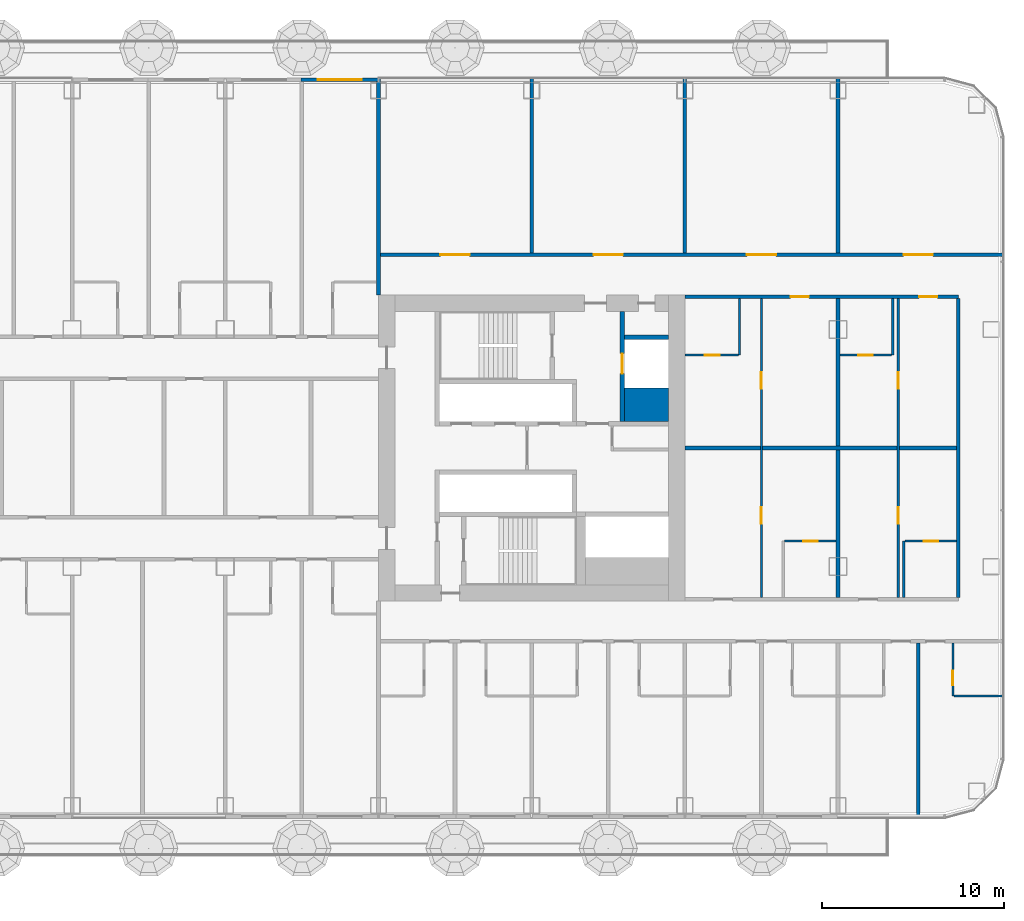
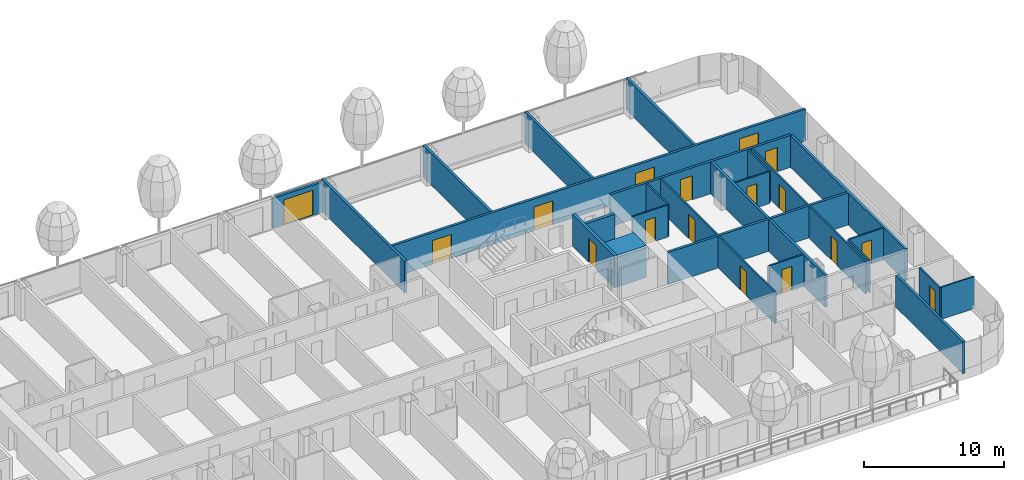
# One storey, part 21 of 37: 25 walls, 17 doors, 17 openings, 1 element without a shape of its own.
"""IFC4 building model written with IfcOpenShell, lengths in metres."""

import ifcopenshell
import ifcopenshell.guid

model = None  # the IFC model being written
_history = None  # IfcOwnerHistory: only IFC2X3 demands one
_inside = {}  # id of a spatial element -> (the spatial element, [elements in it])
_under = {}  # id of a project, library or spatial element -> (it, [spatial elements below it])
_declared = {}  # id of a project -> (the project, [libraries it declares])
_typed = {}  # id of a type object -> (the type object, [elements of that type])
_made_of = {}  # id of a material, layer set ... -> (it, [elements and type objects made of it])


def new_model(schema):
    """Start an empty IFC model of exactly this schema.

    Asked for "IFC4X3", IfcOpenShell would pick the latest addendum, in which some entities
    have other attributes; the version numbers below select the first issue.
    IFC2X3 requires an IfcOwnerHistory on every rooted entity: one is made here for all.
    """
    global model, _history
    if schema == "IFC4X3":
        model = ifcopenshell.file(schema_version=(4, 3, 0, 0))
    else:
        model = ifcopenshell.file(schema=schema)
    _inside.clear()
    _under.clear()
    _declared.clear()
    _typed.clear()
    _made_of.clear()
    _history = None
    if model.schema == "IFC2X3":
        org = make("IfcOrganization", Name="unknown")
        user = make(
            "IfcPersonAndOrganization",
            ThePerson=make("IfcPerson", FamilyName="unknown"),
            TheOrganization=org,
        )
        app = make(
            "IfcApplication",
            ApplicationDeveloper=org,
            Version="unknown",
            ApplicationFullName="unknown",
            ApplicationIdentifier="unknown",
        )
        _history = make(
            "IfcOwnerHistory",
            OwningUser=user,
            OwningApplication=app,
            ChangeAction="ADDED",
            CreationDate=0,
        )
    return model


def make(cls, **values):
    """One entity of the class cls with the attributes given. An attribute that is None is left unset."""
    return model.create_entity(
        cls, **{name: value for name, value in values.items() if value is not None}
    )


def rooted(cls, **values):
    """An entity with a GlobalId (a new one), such as an element, a storey or a relation."""
    return make(cls, GlobalId=ifcopenshell.guid.new(), OwnerHistory=_history, **values)


def si_unit(unit_type, name, prefix=None):
    """IfcSIUnit, for example si_unit("LENGTHUNIT", "METRE", prefix="MILLI")."""
    return make("IfcSIUnit", UnitType=unit_type, Prefix=prefix, Name=name)


def assignment(units):
    """IfcUnitAssignment: the units of a project."""
    return None if units is None else make("IfcUnitAssignment", Units=units)


def point(xyz):
    """IfcCartesianPoint."""
    return None if xyz is None else make("IfcCartesianPoint", Coordinates=xyz)


def direction(xyz):
    """IfcDirection."""
    return None if xyz is None else make("IfcDirection", DirectionRatios=xyz)


def frame(location, z_axis=None, x_axis=None):
    """IfcAxis2Placement3D, a coordinate frame: its origin and axes. An axis left out is left unset."""
    return make(
        "IfcAxis2Placement3D",
        Location=point(location),
        Axis=direction(z_axis),
        RefDirection=direction(x_axis),
    )


def frame_2d(location, x_axis=None):
    """IfcAxis2Placement2D, a coordinate frame in the plane: its origin and x axis."""
    return make(
        "IfcAxis2Placement2D", Location=point(location), RefDirection=direction(x_axis)
    )


def origin():
    """The frame at (0, 0, 0) with its axes left unset."""
    return frame((0.0, 0.0, 0.0))


def place(relative_to, where):
    """IfcLocalPlacement: puts the frame where relative to a parent placement (None: the world)."""
    return make(
        "IfcLocalPlacement", PlacementRelTo=relative_to, RelativePlacement=where
    )


def context(
    kind, dimensions, precision=None, world=None, true_north=None, identifier=None
):
    """IfcGeometricRepresentationContext, for example the 3D "Model" context."""
    return make(
        "IfcGeometricRepresentationContext",
        ContextIdentifier=identifier,
        ContextType=kind,
        CoordinateSpaceDimension=dimensions,
        Precision=precision,
        WorldCoordinateSystem=world,
        TrueNorth=true_north,
    )


def subcontext(parent, identifier, kind, view, scale=None):
    """IfcGeometricRepresentationSubContext, for example "Body" below "Model"."""
    return make(
        "IfcGeometricRepresentationSubContext",
        ContextIdentifier=identifier,
        ContextType=kind,
        ParentContext=parent,
        TargetScale=scale,
        TargetView=view,
    )


def project(units=None, contexts=None):
    """IfcProject with its units and contexts."""
    return rooted(
        "IfcProject",
        Name="project",
        RepresentationContexts=contexts,
        UnitsInContext=assignment(units),
    )


def spatial(cls, under=None, at=None, **own):
    """A site, building, storey or space (cls), placed at a placement, below another one or the project."""
    s = rooted(cls, ObjectPlacement=at, **own)
    if under is not None:
        _under.setdefault(under.id(), (under, []))[1].append(s)
    return s


def profile(cls, at=None, kind="AREA", **sizes):
    """A parametric profile (cls). Its sizes go by their IFC names, for example OverallWidth=200.0."""
    return make(cls, ProfileType=kind, Position=at, **sizes)


def rectangle(**sizes):
    """IfcRectangleProfileDef."""
    return profile("IfcRectangleProfileDef", **sizes)


def extrude(swept, where, along, depth):
    """IfcExtrudedAreaSolid: the profile swept, set in the frame where, extruded along a direction by depth."""
    return make(
        "IfcExtrudedAreaSolid",
        SweptArea=swept,
        Position=where,
        ExtrudedDirection=direction(along),
        Depth=depth,
    )


def shape(context_of_items, identifier, shape_type, items):
    """IfcShapeRepresentation: the items that make up one representation, for example the "Body"."""
    return make(
        "IfcShapeRepresentation",
        ContextOfItems=context_of_items,
        RepresentationIdentifier=identifier,
        RepresentationType=shape_type,
        Items=items,
    )


def material(Name=None, Category=None):
    """IfcMaterial."""
    return make("IfcMaterial", Name=Name, Category=Category)


def layer(
    of_material, thickness, ventilated=None, Name=None, Category=None, Priority=None
):
    """IfcMaterialLayer: one layer of a wall or slab, of a material (None: an air gap)."""
    return make(
        "IfcMaterialLayer",
        Material=of_material,
        LayerThickness=thickness,
        IsVentilated=ventilated,
        Name=Name,
        Category=Category,
        Priority=Priority,
    )


def layer_set(layers, Name=None):
    """IfcMaterialLayerSet."""
    return make("IfcMaterialLayerSet", MaterialLayers=layers, LayerSetName=Name)


def made_of(thing, what):
    """Note that an element or type object is made of a material, layer set ...; save() writes the relation."""
    if what is not None:
        _made_of.setdefault(what.id(), (what, []))[1].append(thing)
    return thing


def type_object(cls, material=None, **own):
    """A type object (cls), such as IfcWallType, which elements share."""
    return made_of(rooted(cls, **own), material)


def element(
    cls,
    number,
    at=None,
    inside=None,
    cuts=None,
    type_object=None,
    material=None,
    context=None,
    identifier="Body",
    shape_type=None,
    held_by="IfcProductDefinitionShape",
    body=None,
    shapes=None,
    **own,
):
    """One element of the class cls, such as IfcWall. Its Tag is "e" and its number.

    at: its placement. inside: the storey or other place that contains it. cuts: it is an
    opening in that element (IfcRelVoidsElement). A single representation is given by context,
    identifier, shape_type and body (its items); several are given by shapes. held_by: the class
    of the entity that holds the representations. save() writes the other relations.
    """
    e = rooted(cls, Tag="e%d" % number, ObjectPlacement=at, **own)
    if body is not None:
        shapes = [shape(context, identifier, shape_type, body)]
    if shapes is not None:
        e.Representation = make(held_by, Representations=shapes)
    if inside is not None:
        _inside.setdefault(inside.id(), (inside, []))[1].append(e)
    if cuts is not None:
        rooted(
            "IfcRelVoidsElement", RelatingBuildingElement=cuts, RelatedOpeningElement=e
        )
    if type_object is not None:
        _typed.setdefault(type_object.id(), (type_object, []))[1].append(e)
    return made_of(e, material)


def fill(opening, filler):
    """IfcRelFillsElement: the door or window that sits in an opening."""
    return rooted(
        "IfcRelFillsElement",
        RelatingOpeningElement=opening,
        RelatedBuildingElement=filler,
    )


def aggregate(whole, parts):
    """IfcRelAggregates: a whole, such as a stair, and the parts it consists of."""
    return rooted("IfcRelAggregates", RelatingObject=whole, RelatedObjects=parts)


def save(model, path):
    """Write the relations noted so far, then the file.

    IfcRelAggregates (storeys below a building ...), IfcRelContainedInSpatialStructure (elements
    in a storey), IfcRelDefinesByType, IfcRelAssociatesMaterial and IfcRelDeclares: one each for
    every whole, place, type object, material and project.
    """
    for whole, parts in _under.values():
        aggregate(whole, parts)
    for where, things in _inside.values():
        rooted(
            "IfcRelContainedInSpatialStructure",
            RelatedElements=things,
            RelatingStructure=where,
        )
    for kind, things in _typed.values():
        rooted("IfcRelDefinesByType", RelatedObjects=things, RelatingType=kind)
    for what, things in _made_of.values():
        rooted("IfcRelAssociatesMaterial", RelatedObjects=things, RelatingMaterial=what)
    for by, libraries in _declared.values():
        rooted("IfcRelDeclares", RelatingContext=by, RelatedDefinitions=libraries)
    model.write(path)


model = new_model("IFC4")

# Units and contexts
model_context = context("Model", 3, precision=1e-05, world=origin(), true_north=direction((0.0, 1.0)))
body_context = subcontext(model_context, "Body", "Model", "MODEL_VIEW")
ifc_project = project(units=[si_unit("LENGTHUNIT", "METRE"), si_unit("AREAUNIT", "SQUARE_METRE"), si_unit("VOLUMEUNIT", "CUBIC_METRE"), si_unit("PLANEANGLEUNIT", "RADIAN"), si_unit("MASSUNIT", "GRAM", prefix="KILO")], contexts=[model_context])

# Site, building, storey
site_placement = place(None, origin())
site = spatial("IfcSite", under=ifc_project, at=site_placement, CompositionType="ELEMENT")
building_placement = place(site_placement, origin())
building = spatial("IfcBuilding", under=site, at=building_placement, Name="Hakoniwa Tower and Hamabe Station Hall", CompositionType="ELEMENT")
storey_placement = place(building_placement, frame((0.0, 0.0, 39.0)))
storey = spatial("IfcBuildingStorey", under=building, at=storey_placement, Name="L10", CompositionType="ELEMENT", Elevation=39.0)

# Wall
ifc_material_1 = material(Name="Gypsum board partition", Category="gypsum")
ifc_layer_1 = layer(ifc_material_1, 0.125)
ifc_layer_set_1 = layer_set([ifc_layer_1], Name="Bathroom Partition 125")
wall_type_1 = type_object("IfcWallType", Name="Bathroom Partition 125", PredefinedType="PARTITIONING", material=ifc_layer_set_1)
wall_1_placement = place(storey_placement, frame((48.362548828125, -13.60009765625, 0.0), z_axis=(0.0, 0.0, 1.0), x_axis=(1.0, 0.0, 0.0)))
element("IfcWall", 1, at=wall_1_placement, inside=storey, type_object=wall_type_1, Name="GW-L10-010", PredefinedType="PARTITIONING", context=body_context, shape_type="SweptSolid", body=[
    extrude(rectangle(XDim=2.737548828125, YDim=0.125, at=frame_2d((1.36865234375, 0.0))), origin(), (0.0, 0.0, 1.0), 2.800048828125),
])

# Wall, opening, door
wall_2_placement = place(storey_placement, frame((39.0625, -5.10009765625, 0.0), z_axis=(0.0, 0.0, 1.0), x_axis=(1.0, 0.0, 0.0)))
wall_2 = element("IfcWall", 2, at=wall_2_placement, inside=storey, type_object=wall_type_1, Name="GW-L10-021", PredefinedType="PARTITIONING", context=body_context, shape_type="SweptSolid", body=[
    extrude(rectangle(XDim=2.83740234375, YDim=0.125, at=frame_2d((1.418701171875, 0.0))), origin(), (0.0, 0.0, 1.0), 2.800048828125),
])
opening_1_placement = place(wall_2_placement, frame((1.03759765625, 0.0, 0.0)))
opening_1 = element("IfcOpeningElement", 3, at=opening_1_placement, cuts=wall_2, Name="Opening GD-G1B1-29", PredefinedType="OPENING", context=body_context, shape_type="SweptSolid", body=[
    extrude(rectangle(XDim=0.800048828125, YDim=2.10009765625, at=frame_2d((0.39990234375, 1.050048828125))), frame((0.0, 0.072509765625, 0.0), z_axis=(0.0, -1.0, 0.0), x_axis=(1.0, 0.0, 0.0)), (0.0, 0.0, 1.0), 0.14501953125),
])
ifc_material_2 = material(Name="Timber door leaf", Category="wood")
door_type_1 = type_object("IfcDoorType", Name="Bathroom Door 800", OperationType="SINGLE_SWING_LEFT", PredefinedType="DOOR", material=ifc_material_2)
door_1_placement = place(opening_1_placement, origin())
door_1 = element("IfcDoor", 4, at=door_1_placement, inside=storey, type_object=door_type_1, Name="Door GD-G1B1-29", OperationType="SINGLE_SWING_RIGHT", OverallHeight=2.10009765625, OverallWidth=0.800048828125, PredefinedType="DOOR", context=body_context, shape_type="SweptSolid", body=[
    extrude(rectangle(XDim=0.800048828125, YDim=2.10009765625, at=frame_2d((0.39990234375, 1.050048828125))), frame((0.0, 0.02490234375, 0.0), z_axis=(0.0, -1.0, 0.0), x_axis=(1.0, 0.0, 0.0)), (0.0, 0.0, 1.0), 0.050048828125),
])
fill(opening_1, door_1)

wall_3_placement = place(storey_placement, frame((45.66259765625, -5.10009765625, 0.0), z_axis=(0.0, 0.0, 1.0), x_axis=(1.0, 0.0, 0.0)))
wall_3 = element("IfcWall", 5, at=wall_3_placement, inside=storey, type_object=wall_type_1, Name="GW-L10-022", PredefinedType="PARTITIONING", context=body_context, shape_type="SweptSolid", body=[
    extrude(rectangle(XDim=2.83740234375, YDim=0.125, at=frame_2d((1.418701171875, 0.0))), origin(), (0.0, 0.0, 1.0), 2.800048828125),
])
opening_2_placement = place(wall_3_placement, frame((1.03759765625, 0.0, 0.0)))
opening_2 = element("IfcOpeningElement", 6, at=opening_2_placement, cuts=wall_3, Name="Opening GD-G1B1-30", PredefinedType="OPENING", context=body_context, shape_type="SweptSolid", body=[
    extrude(rectangle(XDim=0.800048828125, YDim=2.10009765625, at=frame_2d((0.39990234375, 1.050048828125))), frame((0.0, 0.072509765625, 0.0), z_axis=(0.0, -1.0, 0.0), x_axis=(1.0, 0.0, 0.0)), (0.0, 0.0, 1.0), 0.14501953125),
])
door_2_placement = place(opening_2_placement, origin())
door_2 = element("IfcDoor", 7, at=door_2_placement, inside=storey, type_object=door_type_1, Name="Door GD-G1B1-30", OperationType="SINGLE_SWING_RIGHT", OverallHeight=2.10009765625, OverallWidth=0.800048828125, PredefinedType="DOOR", context=body_context, shape_type="SweptSolid", body=[
    extrude(rectangle(XDim=0.800048828125, YDim=2.10009765625, at=frame_2d((0.39990234375, 1.050048828125))), frame((0.0, 0.02490234375, 0.0), z_axis=(0.0, -1.0, 0.0), x_axis=(1.0, 0.0, 0.0)), (0.0, 0.0, 1.0), 0.050048828125),
])
fill(opening_2, door_2)

wall_4_placement = place(storey_placement, frame((33.60009765625, 5.10009765625, 0.0), z_axis=(0.0, 0.0, 1.0), x_axis=(1.0, 0.0, 0.0)))
wall_4 = element("IfcWall", 8, at=wall_4_placement, inside=storey, type_object=wall_type_1, Name="GW-L10-028", PredefinedType="PARTITIONING", context=body_context, shape_type="SweptSolid", body=[
    extrude(rectangle(XDim=2.9375, YDim=0.125, at=frame_2d((1.46875, 0.0))), origin(), (0.0, 0.0, 1.0), 2.800048828125),
])
opening_3_placement = place(wall_4_placement, frame((1.10009765625, 0.0, 0.0)))
opening_3 = element("IfcOpeningElement", 9, at=opening_3_placement, cuts=wall_4, Name="Opening GD-G1B1-41", PredefinedType="OPENING", context=body_context, shape_type="SweptSolid", body=[
    extrude(rectangle(XDim=0.800048828125, YDim=2.10009765625, at=frame_2d((0.39990234375, 1.050048828125))), frame((0.0, 0.072509765625, 0.0), z_axis=(0.0, -1.0, 0.0), x_axis=(1.0, 0.0, 0.0)), (0.0, 0.0, 1.0), 0.14501953125),
])
door_3_placement = place(opening_3_placement, origin())
door_3 = element("IfcDoor", 10, at=door_3_placement, inside=storey, type_object=door_type_1, Name="Door GD-G1B1-41", OperationType="SINGLE_SWING_LEFT", OverallHeight=2.10009765625, OverallWidth=0.800048828125, PredefinedType="DOOR", context=body_context, shape_type="SweptSolid", body=[
    extrude(rectangle(XDim=0.800048828125, YDim=2.10009765625, at=frame_2d((0.39990234375, 1.050048828125))), frame((0.0, 0.02490234375, 0.0), z_axis=(0.0, -1.0, 0.0), x_axis=(1.0, 0.0, 0.0)), (0.0, 0.0, 1.0), 0.050048828125),
])
fill(opening_3, door_3)

wall_5_placement = place(storey_placement, frame((42.10009765625, 5.10009765625, 0.0), z_axis=(0.0, 0.0, 1.0), x_axis=(1.0, 0.0, 0.0)))
wall_5 = element("IfcWall", 11, at=wall_5_placement, inside=storey, type_object=wall_type_1, Name="GW-L10-029", PredefinedType="PARTITIONING", context=body_context, shape_type="SweptSolid", body=[
    extrude(rectangle(XDim=2.83740234375, YDim=0.125, at=frame_2d((1.418701171875, 0.0))), origin(), (0.0, 0.0, 1.0), 2.800048828125),
])
opening_4_placement = place(wall_5_placement, frame((1.0, 0.0, 0.0)))
opening_4 = element("IfcOpeningElement", 12, at=opening_4_placement, cuts=wall_5, Name="Opening GD-G1B1-42", PredefinedType="OPENING", context=body_context, shape_type="SweptSolid", body=[
    extrude(rectangle(XDim=0.800048828125, YDim=2.10009765625, at=frame_2d((0.39990234375, 1.050048828125))), frame((0.0, 0.072509765625, 0.0), z_axis=(0.0, -1.0, 0.0), x_axis=(1.0, 0.0, 0.0)), (0.0, 0.0, 1.0), 0.14501953125),
])
door_4_placement = place(opening_4_placement, origin())
door_4 = element("IfcDoor", 13, at=door_4_placement, inside=storey, type_object=door_type_1, Name="Door GD-G1B1-42", OperationType="SINGLE_SWING_RIGHT", OverallHeight=2.10009765625, OverallWidth=0.800048828125, PredefinedType="DOOR", context=body_context, shape_type="SweptSolid", body=[
    extrude(rectangle(XDim=0.800048828125, YDim=2.10009765625, at=frame_2d((0.39990234375, 1.050048828125))), frame((0.0, 0.02490234375, 0.0), z_axis=(0.0, -1.0, 0.0), x_axis=(1.0, 0.0, 0.0)), (0.0, 0.0, 1.0), 0.050048828125),
])
fill(opening_4, door_4)

# Walls
for number, where, z_axis, x_axis, name in (
    (14, (36.60009765625, 5.10009765625, 0.0), (0.0, 0.0, 1.0), (0.0, 1.0, 0.0), "GW-L10-124"),
    (15, (45.0, 5.10009765625, 0.0), (0.0, 0.0, 1.0), (0.0, 1.0, 0.0), "GW-L10-133"),
    (16, (45.60009765625, -8.199951171875, 0.0), (0.0, 0.0, 1.0), (0.0, 1.0, 0.0), "GW-L10-135"),
):
    element("IfcWall", number, at=place(storey_placement, frame(where, z_axis=z_axis, x_axis=x_axis)), inside=storey, type_object=wall_type_1, Name=name, PredefinedType="PARTITIONING", context=body_context, shape_type="SweptSolid", body=[
        extrude(rectangle(XDim=3.099853515625, YDim=0.125, at=frame_2d((1.5498046875, 0.0))), origin(), (0.0, 0.0, 1.0), 2.800048828125),
    ])

# Wall, opening, door
wall_6_placement = place(storey_placement, frame((48.300048828125, -13.60009765625, 0.0), z_axis=(0.0, 0.0, 1.0), x_axis=(0.0, 1.0, 0.0)))
wall_6 = element("IfcWall", 17, at=wall_6_placement, inside=storey, type_object=wall_type_1, Name="GW-L10-137", PredefinedType="PARTITIONING", context=body_context, shape_type="SweptSolid", body=[
    extrude(rectangle(XDim=2.900146484375, YDim=0.125, at=frame_2d((1.4501953125, 0.0))), origin(), (0.0, 0.0, 1.0), 2.800048828125),
])
opening_5_placement = place(wall_6_placement, frame((0.60009765625, 0.0, 0.0)))
opening_5 = element("IfcOpeningElement", 18, at=opening_5_placement, cuts=wall_6, Name="Opening GD-G1B1-101", PredefinedType="OPENING", context=body_context, shape_type="SweptSolid", body=[
    extrude(rectangle(XDim=0.800048828125, YDim=2.10009765625, at=frame_2d((0.39990234375, 1.050048828125))), frame((0.0, 0.072509765625, 0.0), z_axis=(0.0, -1.0, 0.0), x_axis=(1.0, 0.0, 0.0)), (0.0, 0.0, 1.0), 0.14501953125),
])
door_5_placement = place(opening_5_placement, origin())
door_5 = element("IfcDoor", 19, at=door_5_placement, inside=storey, type_object=door_type_1, Name="Door GD-G1B1-101", OperationType="SINGLE_SWING_LEFT", OverallHeight=2.10009765625, OverallWidth=0.800048828125, PredefinedType="DOOR", context=body_context, shape_type="SweptSolid", body=[
    extrude(rectangle(XDim=0.800048828125, YDim=2.10009765625, at=frame_2d((0.39990234375, 1.050048828125))), frame((0.0, 0.02490234375, 0.0), z_axis=(0.0, -1.0, 0.0), x_axis=(1.0, 0.0, 0.0)), (0.0, 0.0, 1.0), 0.050048828125),
])
fill(opening_5, door_5)

# Wall
ifc_material_3 = material(Name="Concrete C80", Category="concrete")
ifc_layer_2 = layer(ifc_material_3, 1.85009765625)
ifc_layer_set_2 = layer_set([ifc_layer_2], Name="CORE WEB WALL 1850 C80")
wall_type_2 = type_object("IfcWallType", Name="CORE WEB WALL 1850 C80", PredefinedType="SHEAR", material=ifc_layer_set_2)
wall_7_placement = place(storey_placement, frame((30.300048828125, 2.375, 0.0), z_axis=(0.0, 0.0, 1.0), x_axis=(1.0, 0.0, 0.0)))
element("IfcWall", 20, at=wall_7_placement, inside=storey, type_object=wall_type_2, Name="Core wall CA east", PredefinedType="SHEAR", context=body_context, shape_type="SweptSolid", body=[
    extrude(rectangle(XDim=2.39990234375, YDim=1.85009765625, at=frame_2d((1.199951171875, 0.0))), origin(), (0.0, 0.0, 1.0), 2.800048828125),
])

# Wall, opening, door
ifc_material_4 = material(Name="Concrete C80", Category="concrete")
ifc_layer_3 = layer(ifc_material_4, 0.25)
ifc_layer_set_3 = layer_set([ifc_layer_3], Name="CORE WEB WALL 250 C80")
wall_type_3 = type_object("IfcWallType", Name="CORE WEB WALL 250 C80", PredefinedType="SHEAR", material=ifc_layer_set_3)
wall_8_placement = place(storey_placement, frame((30.175048828125, 1.449951171875, 0.0), z_axis=(0.0, 0.0, 1.0), x_axis=(0.0, 1.0, 0.0)))
wall_8 = element("IfcWall", 21, at=wall_8_placement, inside=storey, type_object=wall_type_3, Name="Core wall FFF east", PredefinedType="SHEAR", context=body_context, shape_type="SweptSolid", body=[
    extrude(rectangle(XDim=6.050048828125, YDim=0.25, at=frame_2d((3.02490234375, 0.0))), origin(), (0.0, 0.0, 1.0), 2.800048828125),
])
opening_6_placement = place(wall_8_placement, frame((2.625, 0.0, 0.0)))
opening_6 = element("IfcOpeningElement", 22, at=opening_6_placement, cuts=wall_8, Name="Opening LD-FF2", PredefinedType="OPENING", context=body_context, shape_type="SweptSolid", body=[
    extrude(rectangle(XDim=1.10009765625, YDim=2.10009765625, at=frame_2d((0.550048828125, 1.050048828125))), frame((0.0, 0.135009765625, 0.0), z_axis=(0.0, -1.0, 0.0), x_axis=(1.0, 0.0, 0.0)), (0.0, 0.0, 1.0), 0.27001953125),
])
ifc_material_5 = material(Name="Stainless steel SUS304", Category="steel")
door_type_2 = type_object("IfcDoorType", Name="LIFT LANDING DOOR 1100 FD60", OperationType="DOUBLE_DOOR_SLIDING", PredefinedType="DOOR", material=ifc_material_5)
door_6_placement = place(opening_6_placement, origin())
door_6 = element("IfcDoor", 23, at=door_6_placement, inside=storey, type_object=door_type_2, Name="Lift landing door FF2 L10", OperationType="DOUBLE_DOOR_SLIDING", OverallHeight=2.10009765625, OverallWidth=1.10009765625, PredefinedType="DOOR", context=body_context, shape_type="SweptSolid", body=[
    extrude(rectangle(XDim=1.10009765625, YDim=2.10009765625, at=frame_2d((0.550048828125, 1.050048828125))), frame((0.0, 0.02490234375, 0.0), z_axis=(0.0, -1.0, 0.0), x_axis=(1.0, 0.0, 0.0)), (0.0, 0.0, 1.0), 0.050048828125),
])
fill(opening_6, door_6)

# Wall
wall_9_placement = place(storey_placement, frame((30.300048828125, 6.074951171875, 0.0), z_axis=(0.0, 0.0, 1.0), x_axis=(1.0, 0.0, 0.0)))
element("IfcWall", 24, at=wall_9_placement, inside=storey, type_object=wall_type_3, Name="Core wall C2 east", PredefinedType="SHEAR", context=body_context, shape_type="SweptSolid", body=[
    extrude(rectangle(XDim=2.39990234375, YDim=0.25, at=frame_2d((1.199951171875, 0.0))), origin(), (0.0, 0.0, 1.0), 2.800048828125),
])

# Wall, openings, doors
ifc_material_6 = material(Name="Fire-rated gypsum board partition", Category="gypsum")
ifc_layer_4 = layer(ifc_material_6, 0.199951171875)
ifc_layer_set_4 = layer_set([ifc_layer_4], Name="Corridor Wall 200")
wall_type_4 = type_object("IfcWallType", Name="Corridor Wall 200", PredefinedType="PARTITIONING", material=ifc_layer_set_4)
wall_10_placement = place(storey_placement, frame((33.60009765625, 8.300048828125, 0.0), z_axis=(0.0, 0.0, 1.0), x_axis=(1.0, 0.0, 0.0)))
wall_10 = element("IfcWall", 25, at=wall_10_placement, inside=storey, type_object=wall_type_4, Name="GW-L10-032", PredefinedType="PARTITIONING", context=body_context, shape_type="SweptSolid", body=[
    extrude(rectangle(XDim=15.0, YDim=0.199951171875, at=frame_2d((7.5, 0.0))), origin(), (0.0, 0.0, 1.0), 2.800048828125),
])
opening_7_placement = place(wall_10_placement, frame((5.800048828125, 0.0, 0.0)))
opening_7 = element("IfcOpeningElement", 26, at=opening_7_placement, cuts=wall_10, Name="Opening GD-G1B1-52", PredefinedType="OPENING", context=body_context, shape_type="SweptSolid", body=[
    extrude(rectangle(XDim=1.0, YDim=2.10009765625, at=frame_2d((0.5, 1.050048828125))), frame((0.0, 0.10986328125, 0.0), z_axis=(0.0, -1.0, 0.0), x_axis=(1.0, 0.0, 0.0)), (0.0, 0.0, 1.0), 0.219970703125),
])
opening_8_placement = place(wall_10_placement, frame((12.85009765625, 0.0, 0.0)))
opening_8 = element("IfcOpeningElement", 27, at=opening_8_placement, cuts=wall_10, Name="Opening GD-G1B1-53", PredefinedType="OPENING", context=body_context, shape_type="SweptSolid", body=[
    extrude(rectangle(XDim=1.0, YDim=2.10009765625, at=frame_2d((0.5, 1.050048828125))), frame((0.0, 0.10986328125, 0.0), z_axis=(0.0, -1.0, 0.0), x_axis=(1.0, 0.0, 0.0)), (0.0, 0.0, 1.0), 0.219970703125),
])
ifc_material_7 = material(Name="Timber door leaf", Category="wood")
door_type_3 = type_object("IfcDoorType", Name="Guest Entrance Door 1000", OperationType="SINGLE_SWING_LEFT", PredefinedType="DOOR", material=ifc_material_7)
door_7_placement = place(opening_7_placement, origin())
door_7 = element("IfcDoor", 28, at=door_7_placement, inside=storey, type_object=door_type_3, Name="Door GD-G1B1-52", OperationType="SINGLE_SWING_LEFT", OverallHeight=2.10009765625, OverallWidth=1.0, PredefinedType="DOOR", context=body_context, shape_type="SweptSolid", body=[
    extrude(rectangle(XDim=1.0, YDim=2.10009765625, at=frame_2d((0.5, 1.050048828125))), frame((0.0, 0.02490234375, 0.0), z_axis=(0.0, -1.0, 0.0), x_axis=(1.0, 0.0, 0.0)), (0.0, 0.0, 1.0), 0.050048828125),
])
fill(opening_7, door_7)
door_8_placement = place(opening_8_placement, origin())
door_8 = element("IfcDoor", 29, at=door_8_placement, inside=storey, type_object=door_type_3, Name="Door GD-G1B1-53", OperationType="SINGLE_SWING_RIGHT", OverallHeight=2.10009765625, OverallWidth=1.0, PredefinedType="DOOR", context=body_context, shape_type="SweptSolid", body=[
    extrude(rectangle(XDim=1.0, YDim=2.10009765625, at=frame_2d((0.5, 1.050048828125))), frame((0.0, 0.02490234375, 0.0), z_axis=(0.0, -1.0, 0.0), x_axis=(1.0, 0.0, 0.0)), (0.0, 0.0, 1.0), 0.050048828125),
])
fill(opening_8, door_8)

wall_11_placement = place(storey_placement, frame((16.800048828125, 10.60009765625, 0.0), z_axis=(0.0, 0.0, 1.0), x_axis=(1.0, 0.0, 0.0)))
wall_11 = element("IfcWall", 30, at=wall_11_placement, inside=storey, type_object=wall_type_4, Name="GW-L10-039", PredefinedType="PARTITIONING", context=body_context, shape_type="SweptSolid", body=[
    extrude(rectangle(XDim=34.300048828125, YDim=0.199951171875, at=frame_2d((17.14990234375, 0.0))), origin(), (0.0, 0.0, 1.0), 2.800048828125),
])
opening_9_placement = place(wall_11_placement, frame((3.39990234375, 0.0, 0.0)))
opening_9 = element("IfcOpeningElement", 31, at=opening_9_placement, cuts=wall_11, Name="Opening GD-G1B1-60", PredefinedType="OPENING", context=body_context, shape_type="SweptSolid", body=[
    extrude(rectangle(XDim=1.60009765625, YDim=2.10009765625, at=frame_2d((0.800048828125, 1.050048828125))), frame((0.0, 0.10986328125, 0.0), z_axis=(0.0, -1.0, 0.0), x_axis=(1.0, 0.0, 0.0)), (0.0, 0.0, 1.0), 0.219970703125),
])
opening_10_placement = place(wall_11_placement, frame((11.800048828125, 0.0, 0.0)))
opening_10 = element("IfcOpeningElement", 32, at=opening_10_placement, cuts=wall_11, Name="Opening GD-G1B1-61", PredefinedType="OPENING", context=body_context, shape_type="SweptSolid", body=[
    extrude(rectangle(XDim=1.60009765625, YDim=2.10009765625, at=frame_2d((0.800048828125, 1.050048828125))), frame((0.0, 0.10986328125, 0.0), z_axis=(0.0, -1.0, 0.0), x_axis=(1.0, 0.0, 0.0)), (0.0, 0.0, 1.0), 0.219970703125),
])
opening_11_placement = place(wall_11_placement, frame((20.199951171875, 0.0, 0.0)))
opening_11 = element("IfcOpeningElement", 33, at=opening_11_placement, cuts=wall_11, Name="Opening GD-G1B1-62", PredefinedType="OPENING", context=body_context, shape_type="SweptSolid", body=[
    extrude(rectangle(XDim=1.60009765625, YDim=2.10009765625, at=frame_2d((0.800048828125, 1.050048828125))), frame((0.0, 0.10986328125, 0.0), z_axis=(0.0, -1.0, 0.0), x_axis=(1.0, 0.0, 0.0)), (0.0, 0.0, 1.0), 0.219970703125),
])
opening_12_placement = place(wall_11_placement, frame((28.800048828125, 0.0, 0.0)))
opening_12 = element("IfcOpeningElement", 34, at=opening_12_placement, cuts=wall_11, Name="Opening GD-G1B1-63", PredefinedType="OPENING", context=body_context, shape_type="SweptSolid", body=[
    extrude(rectangle(XDim=1.60009765625, YDim=2.10009765625, at=frame_2d((0.800048828125, 1.050048828125))), frame((0.0, 0.10986328125, 0.0), z_axis=(0.0, -1.0, 0.0), x_axis=(1.0, 0.0, 0.0)), (0.0, 0.0, 1.0), 0.219970703125),
])
ifc_material_8 = material(Name="Timber door leaf", Category="wood")
door_type_4 = type_object("IfcDoorType", Name="Double Door 1600", OperationType="DOUBLE_DOOR_SINGLE_SWING", PredefinedType="DOOR", material=ifc_material_8)
door_9_placement = place(opening_9_placement, origin())
door_9 = element("IfcDoor", 35, at=door_9_placement, inside=storey, type_object=door_type_4, Name="Door GD-G1B1-60", OperationType="DOUBLE_DOOR_SINGLE_SWING", OverallHeight=2.10009765625, OverallWidth=1.60009765625, PredefinedType="DOOR", context=body_context, shape_type="SweptSolid", body=[
    extrude(rectangle(XDim=1.60009765625, YDim=2.10009765625, at=frame_2d((0.800048828125, 1.050048828125))), frame((0.0, 0.02490234375, 0.0), z_axis=(0.0, -1.0, 0.0), x_axis=(1.0, 0.0, 0.0)), (0.0, 0.0, 1.0), 0.050048828125),
])
fill(opening_9, door_9)
door_10_placement = place(opening_10_placement, origin())
door_10 = element("IfcDoor", 36, at=door_10_placement, inside=storey, type_object=door_type_4, Name="Door GD-G1B1-61", OperationType="DOUBLE_DOOR_SINGLE_SWING", OverallHeight=2.10009765625, OverallWidth=1.60009765625, PredefinedType="DOOR", context=body_context, shape_type="SweptSolid", body=[
    extrude(rectangle(XDim=1.60009765625, YDim=2.10009765625, at=frame_2d((0.800048828125, 1.050048828125))), frame((0.0, 0.02490234375, 0.0), z_axis=(0.0, -1.0, 0.0), x_axis=(1.0, 0.0, 0.0)), (0.0, 0.0, 1.0), 0.050048828125),
])
fill(opening_10, door_10)
door_11_placement = place(opening_11_placement, origin())
door_11 = element("IfcDoor", 37, at=door_11_placement, inside=storey, type_object=door_type_4, Name="Door GD-G1B1-62", OperationType="DOUBLE_DOOR_SINGLE_SWING", OverallHeight=2.10009765625, OverallWidth=1.60009765625, PredefinedType="DOOR", context=body_context, shape_type="SweptSolid", body=[
    extrude(rectangle(XDim=1.60009765625, YDim=2.10009765625, at=frame_2d((0.800048828125, 1.050048828125))), frame((0.0, 0.02490234375, 0.0), z_axis=(0.0, -1.0, 0.0), x_axis=(1.0, 0.0, 0.0)), (0.0, 0.0, 1.0), 0.050048828125),
])
fill(opening_11, door_11)
door_12_placement = place(opening_12_placement, origin())
door_12 = element("IfcDoor", 38, at=door_12_placement, inside=storey, type_object=door_type_4, Name="Door GD-G1B1-63", OperationType="DOUBLE_DOOR_SINGLE_SWING", OverallHeight=2.10009765625, OverallWidth=1.60009765625, PredefinedType="DOOR", context=body_context, shape_type="SweptSolid", body=[
    extrude(rectangle(XDim=1.60009765625, YDim=2.10009765625, at=frame_2d((0.800048828125, 1.050048828125))), frame((0.0, 0.02490234375, 0.0), z_axis=(0.0, -1.0, 0.0), x_axis=(1.0, 0.0, 0.0)), (0.0, 0.0, 1.0), 0.050048828125),
])
fill(opening_12, door_12)

# Curtain wall, wall, opening, door
ifc_material_9 = material(Name="Dark low-e laminated glass", Category="glass")
ifc_layer_5 = layer(ifc_material_9, 0.199951171875)
ifc_layer_set_5 = layer_set([ifc_layer_5], Name="CW-1 UNITISED GUEST")
curtain_wall_type = type_object("IfcCurtainWallType", Name="CW-1 UNITISED GUEST", PredefinedType="NOTDEFINED", material=ifc_layer_set_5)
curtain_wall_placement = place(storey_placement, origin())
curtain_wall = element("IfcCurtainWall", 39, at=curtain_wall_placement, inside=storey, type_object=curtain_wall_type, Name="CW-1 curtain wall", PredefinedType="NOTDEFINED")
ifc_material_10 = material(Name="Dark glass-faced aluminium panel", Category="aluminium")
ifc_layer_6 = layer(ifc_material_10, 0.199951171875)
ifc_layer_set_6 = layer_set([ifc_layer_6], Name="DOOR BAY WALL")
wall_type_5 = type_object("IfcWallType", Name="DOOR BAY WALL", PredefinedType="NOTDEFINED", material=ifc_layer_set_6)
wall_12_placement = place(storey_placement, frame((16.780029296875, 20.199951171875, 0.0), z_axis=(0.0, 0.0, 1.0), x_axis=(-1.0, 0.0, 0.0)))
wall_12 = element("IfcWall", 40, at=wall_12_placement, type_object=wall_type_5, Name="Door bay wall", PredefinedType="NOTDEFINED", context=body_context, shape_type="SweptSolid", body=[
    extrude(rectangle(XDim=4.219970703125, YDim=0.199951171875, at=frame_2d((2.10986328125, 0.0))), origin(), (0.0, 0.0, 1.0), 2.64990234375),
])
opening_13_placement = place(wall_12_placement, frame((0.909912109375, 0.0, 0.0)))
opening_13 = element("IfcOpeningElement", 41, at=opening_13_placement, cuts=wall_12, Name="Opening BD-N03-6", PredefinedType="OPENING", context=body_context, shape_type="SweptSolid", body=[
    extrude(rectangle(XDim=2.39990234375, YDim=2.199951171875, at=frame_2d((1.199951171875, 1.10009765625))), frame((0.0, 0.10986328125, 0.0), z_axis=(0.0, -1.0, 0.0), x_axis=(1.0, 0.0, 0.0)), (0.0, 0.0, 1.0), 0.219970703125),
])
ifc_material_11 = material(Name="Dark low-e laminated glass", Category="glass")
door_type_5 = type_object("IfcDoorType", Name="BALCONY SLIDING DOOR 2400X2200", OperationType="SLIDING_TO_LEFT", PredefinedType="DOOR", material=ifc_material_11)
door_13_placement = place(opening_13_placement, frame((2.39990234375, 0.0, 0.0), z_axis=(0.0, 0.0, 1.0), x_axis=(-1.0, 0.0, 0.0)))
door_13 = element("IfcDoor", 42, at=door_13_placement, inside=storey, type_object=door_type_5, Name="Balcony sliding door", OperationType="SLIDING_TO_LEFT", OverallHeight=2.199951171875, OverallWidth=2.39990234375, PredefinedType="DOOR", context=body_context, shape_type="SweptSolid", body=[
    extrude(rectangle(XDim=2.39990234375, YDim=2.199951171875, at=frame_2d((1.199951171875, 1.10009765625))), frame((0.0, 0.02490234375, 0.0), z_axis=(0.0, -1.0, 0.0), x_axis=(1.0, 0.0, 0.0)), (0.0, 0.0, 1.0), 0.050048828125),
])
fill(opening_13, door_13)
aggregate(curtain_wall, [wall_12])

# Walls
ifc_material_12 = material(Name="Fire-rated gypsum board partition", Category="gypsum")
ifc_layer_7 = layer(ifc_material_12, 0.199951171875)
ifc_layer_set_7 = layer_set([ifc_layer_7], Name="Party Wall 200")
wall_type_6 = type_object("IfcWallType", Name="Party Wall 200", PredefinedType="PARTITIONING", material=ifc_layer_set_7)
wall_13_placement = place(storey_placement, frame((33.60009765625, 0.0, 0.0), z_axis=(0.0, 0.0, 1.0), x_axis=(1.0, 0.0, 0.0)))
element("IfcWall", 43, at=wall_13_placement, inside=storey, type_object=wall_type_6, Name="GW-L10-026", PredefinedType="PARTITIONING", context=body_context, shape_type="SweptSolid", body=[
    extrude(rectangle(XDim=14.89990234375, YDim=0.199951171875, at=frame_2d((7.449951171875, 0.0))), origin(), (0.0, 0.0, 1.0), 2.800048828125),
])
wall_14_placement = place(storey_placement, frame((16.800048828125, 8.389892578125, 0.0), z_axis=(0.0, 0.0, 1.0), x_axis=(0.0, 1.0, 0.0)))
element("IfcWall", 44, at=wall_14_placement, inside=storey, type_object=wall_type_6, Name="GW-L10-112", PredefinedType="PARTITIONING", context=body_context, shape_type="SweptSolid", body=[
    extrude(rectangle(XDim=11.91015625, YDim=0.199951171875, at=frame_2d((5.955078125, 0.0))), origin(), (0.0, 0.0, 1.0), 2.800048828125),
])
for number, where, z_axis, x_axis, name in (
    (45, (25.199951171875, 10.699951171875, 0.0), (0.0, 0.0, 1.0), (0.0, 1.0, 0.0), "GW-L10-117"),
    (46, (33.60009765625, 10.699951171875, 0.0), (0.0, 0.0, 1.0), (0.0, 1.0, 0.0), "GW-L10-122"),
):
    element("IfcWall", number, at=place(storey_placement, frame(where, z_axis=z_axis, x_axis=x_axis)), inside=storey, type_object=wall_type_6, Name=name, PredefinedType="PARTITIONING", context=body_context, shape_type="SweptSolid", body=[
        extrude(rectangle(XDim=9.60009765625, YDim=0.199951171875, at=frame_2d((4.800048828125, 0.0))), origin(), (0.0, 0.0, 1.0), 2.800048828125),
    ])
wall_15_placement = place(storey_placement, frame((42.0, -8.199951171875, 0.0), z_axis=(0.0, 0.0, 1.0), x_axis=(0.0, 1.0, 0.0)))
element("IfcWall", 47, at=wall_15_placement, inside=storey, type_object=wall_type_6, Name="GW-L10-130", PredefinedType="PARTITIONING", context=body_context, shape_type="SweptSolid", body=[
    extrude(rectangle(XDim=16.39990234375, YDim=0.199951171875, at=frame_2d((8.199951171875, 0.0))), origin(), (0.0, 0.0, 1.0), 2.800048828125),
])
for number, where, z_axis, x_axis, name in (
    (48, (42.0, 10.699951171875, 0.0), (0.0, 0.0, 1.0), (0.0, 1.0, 0.0), "GW-L10-131"),
    (49, (46.39990234375, -20.300048828125, 0.0), (0.0, 0.0, 1.0), (0.0, 1.0, 0.0), "GW-L10-136"),
):
    element("IfcWall", number, at=place(storey_placement, frame(where, z_axis=z_axis, x_axis=x_axis)), inside=storey, type_object=wall_type_6, Name=name, PredefinedType="PARTITIONING", context=body_context, shape_type="SweptSolid", body=[
        extrude(rectangle(XDim=9.60009765625, YDim=0.199951171875, at=frame_2d((4.800048828125, 0.0))), origin(), (0.0, 0.0, 1.0), 2.800048828125),
    ])
wall_16_placement = place(storey_placement, frame((48.60009765625, -8.199951171875, 0.0), z_axis=(0.0, 0.0, 1.0), x_axis=(0.0, 1.0, 0.0)))
element("IfcWall", 50, at=wall_16_placement, inside=storey, type_object=wall_type_6, Name="GW-L10-138", PredefinedType="PARTITIONING", context=body_context, shape_type="SweptSolid", body=[
    extrude(rectangle(XDim=16.39990234375, YDim=0.199951171875, at=frame_2d((8.199951171875, 0.0))), origin(), (0.0, 0.0, 1.0), 2.800048828125),
])

# Wall, openings, doors
ifc_material_13 = material(Name="Gypsum board partition", Category="gypsum")
ifc_layer_8 = layer(ifc_material_13, 0.125)
ifc_layer_set_8 = layer_set([ifc_layer_8], Name="Room Partition 125")
wall_type_7 = type_object("IfcWallType", Name="Room Partition 125", PredefinedType="PARTITIONING", material=ifc_layer_set_8)
wall_17_placement = place(storey_placement, frame((37.800048828125, -8.199951171875, 0.0), z_axis=(0.0, 0.0, 1.0), x_axis=(0.0, 1.0, 0.0)))
wall_17 = element("IfcWall", 51, at=wall_17_placement, inside=storey, type_object=wall_type_7, Name="GW-L10-126", PredefinedType="PARTITIONING", context=body_context, shape_type="SweptSolid", body=[
    extrude(rectangle(XDim=16.39990234375, YDim=0.125, at=frame_2d((8.199951171875, 0.0))), origin(), (0.0, 0.0, 1.0), 2.800048828125),
])
opening_14_placement = place(wall_17_placement, frame((4.050048828125, 0.0, 0.0)))
opening_14 = element("IfcOpeningElement", 52, at=opening_14_placement, cuts=wall_17, Name="Opening GD-G1B1-95", PredefinedType="OPENING", context=body_context, shape_type="SweptSolid", body=[
    extrude(rectangle(XDim=0.89990234375, YDim=2.10009765625, at=frame_2d((0.449951171875, 1.050048828125))), frame((0.0, 0.072509765625, 0.0), z_axis=(0.0, -1.0, 0.0), x_axis=(1.0, 0.0, 0.0)), (0.0, 0.0, 1.0), 0.14501953125),
])
opening_15_placement = place(wall_17_placement, frame((11.449951171875, 0.0, 0.0)))
opening_15 = element("IfcOpeningElement", 53, at=opening_15_placement, cuts=wall_17, Name="Opening GD-G1B1-96", PredefinedType="OPENING", context=body_context, shape_type="SweptSolid", body=[
    extrude(rectangle(XDim=0.89990234375, YDim=2.10009765625, at=frame_2d((0.449951171875, 1.050048828125))), frame((0.0, 0.072509765625, 0.0), z_axis=(0.0, -1.0, 0.0), x_axis=(1.0, 0.0, 0.0)), (0.0, 0.0, 1.0), 0.14501953125),
])
ifc_material_14 = material(Name="Timber door leaf", Category="wood")
door_type_6 = type_object("IfcDoorType", Name="Suite Interior Door 900", OperationType="SINGLE_SWING_LEFT", PredefinedType="DOOR", material=ifc_material_14)
door_14_placement = place(opening_14_placement, origin())
door_14 = element("IfcDoor", 54, at=door_14_placement, inside=storey, type_object=door_type_6, Name="Door GD-G1B1-95", OperationType="SINGLE_SWING_LEFT", OverallHeight=2.10009765625, OverallWidth=0.89990234375, PredefinedType="DOOR", context=body_context, shape_type="SweptSolid", body=[
    extrude(rectangle(XDim=0.89990234375, YDim=2.10009765625, at=frame_2d((0.449951171875, 1.050048828125))), frame((0.0, 0.02490234375, 0.0), z_axis=(0.0, -1.0, 0.0), x_axis=(1.0, 0.0, 0.0)), (0.0, 0.0, 1.0), 0.050048828125),
])
fill(opening_14, door_14)
door_15_placement = place(opening_15_placement, origin())
door_15 = element("IfcDoor", 55, at=door_15_placement, inside=storey, type_object=door_type_6, Name="Door GD-G1B1-96", OperationType="SINGLE_SWING_LEFT", OverallHeight=2.10009765625, OverallWidth=0.89990234375, PredefinedType="DOOR", context=body_context, shape_type="SweptSolid", body=[
    extrude(rectangle(XDim=0.89990234375, YDim=2.10009765625, at=frame_2d((0.449951171875, 1.050048828125))), frame((0.0, 0.02490234375, 0.0), z_axis=(0.0, -1.0, 0.0), x_axis=(1.0, 0.0, 0.0)), (0.0, 0.0, 1.0), 0.050048828125),
])
fill(opening_15, door_15)

wall_18_placement = place(storey_placement, frame((45.300048828125, -8.199951171875, 0.0), z_axis=(0.0, 0.0, 1.0), x_axis=(0.0, 1.0, 0.0)))
wall_18 = element("IfcWall", 56, at=wall_18_placement, inside=storey, type_object=wall_type_7, Name="GW-L10-134", PredefinedType="PARTITIONING", context=body_context, shape_type="SweptSolid", body=[
    extrude(rectangle(XDim=16.39990234375, YDim=0.125, at=frame_2d((8.199951171875, 0.0))), origin(), (0.0, 0.0, 1.0), 2.800048828125),
])
opening_16_placement = place(wall_18_placement, frame((4.050048828125, 0.0, 0.0)))
opening_16 = element("IfcOpeningElement", 57, at=opening_16_placement, cuts=wall_18, Name="Opening GD-G1B1-99", PredefinedType="OPENING", context=body_context, shape_type="SweptSolid", body=[
    extrude(rectangle(XDim=0.89990234375, YDim=2.10009765625, at=frame_2d((0.449951171875, 1.050048828125))), frame((0.0, 0.072509765625, 0.0), z_axis=(0.0, -1.0, 0.0), x_axis=(1.0, 0.0, 0.0)), (0.0, 0.0, 1.0), 0.14501953125),
])
opening_17_placement = place(wall_18_placement, frame((11.449951171875, 0.0, 0.0)))
opening_17 = element("IfcOpeningElement", 58, at=opening_17_placement, cuts=wall_18, Name="Opening GD-G1B1-100", PredefinedType="OPENING", context=body_context, shape_type="SweptSolid", body=[
    extrude(rectangle(XDim=0.89990234375, YDim=2.10009765625, at=frame_2d((0.449951171875, 1.050048828125))), frame((0.0, 0.072509765625, 0.0), z_axis=(0.0, -1.0, 0.0), x_axis=(1.0, 0.0, 0.0)), (0.0, 0.0, 1.0), 0.14501953125),
])
door_16_placement = place(opening_16_placement, origin())
door_16 = element("IfcDoor", 59, at=door_16_placement, inside=storey, type_object=door_type_6, Name="Door GD-G1B1-99", OperationType="SINGLE_SWING_LEFT", OverallHeight=2.10009765625, OverallWidth=0.89990234375, PredefinedType="DOOR", context=body_context, shape_type="SweptSolid", body=[
    extrude(rectangle(XDim=0.89990234375, YDim=2.10009765625, at=frame_2d((0.449951171875, 1.050048828125))), frame((0.0, 0.02490234375, 0.0), z_axis=(0.0, -1.0, 0.0), x_axis=(1.0, 0.0, 0.0)), (0.0, 0.0, 1.0), 0.050048828125),
])
fill(opening_16, door_16)
door_17_placement = place(opening_17_placement, origin())
door_17 = element("IfcDoor", 60, at=door_17_placement, inside=storey, type_object=door_type_6, Name="Door GD-G1B1-100", OperationType="SINGLE_SWING_LEFT", OverallHeight=2.10009765625, OverallWidth=0.89990234375, PredefinedType="DOOR", context=body_context, shape_type="SweptSolid", body=[
    extrude(rectangle(XDim=0.89990234375, YDim=2.10009765625, at=frame_2d((0.449951171875, 1.050048828125))), frame((0.0, 0.02490234375, 0.0), z_axis=(0.0, -1.0, 0.0), x_axis=(1.0, 0.0, 0.0)), (0.0, 0.0, 1.0), 0.050048828125),
])
fill(opening_17, door_17)

save(model, "model.ifc")
